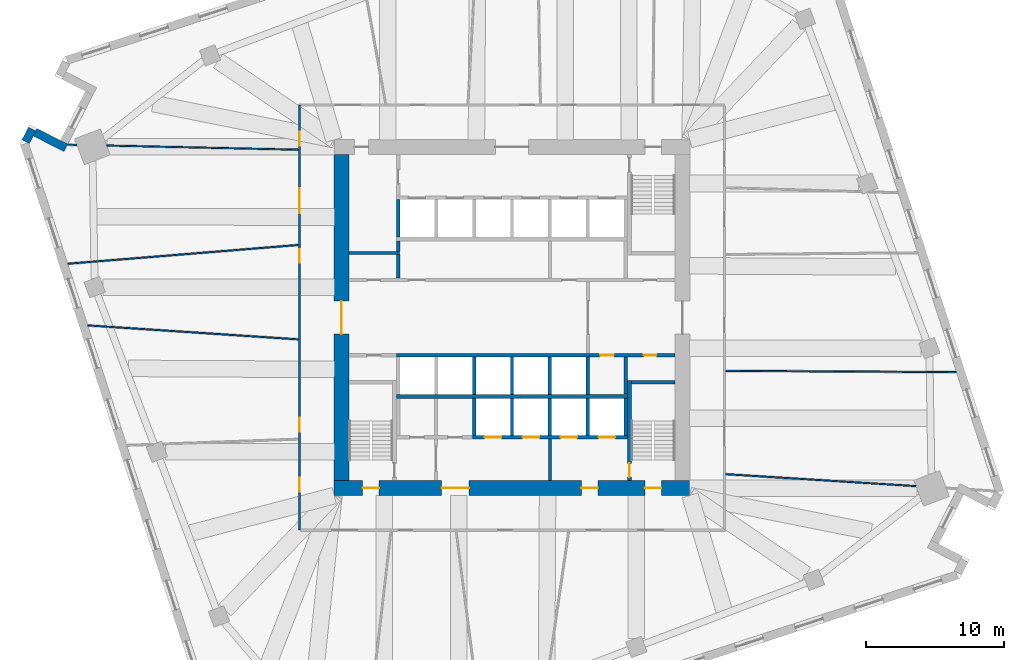
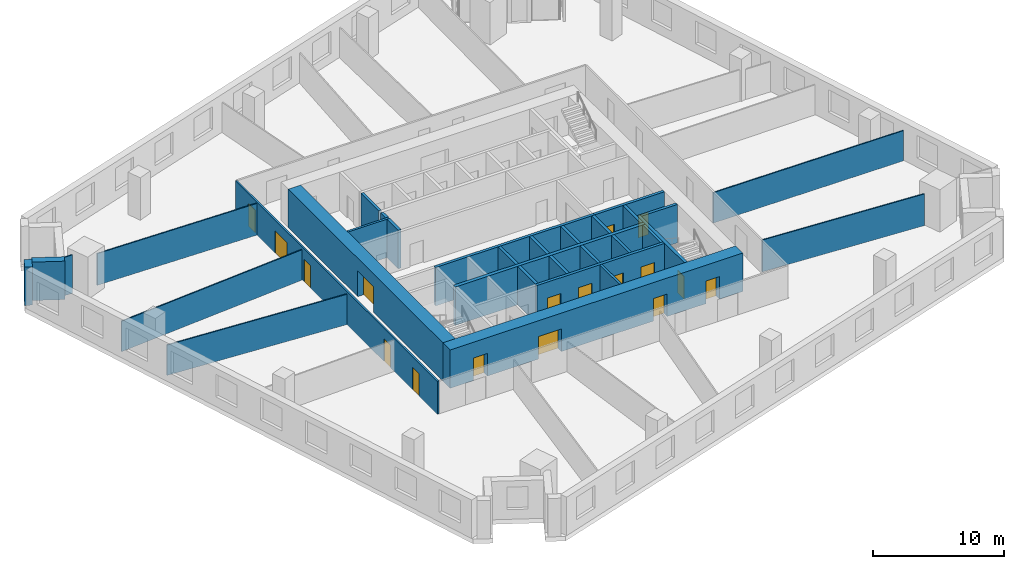
# One storey, part 7 of 12: 32 walls, 17 doors, 17 openings.
"""IFC4 building model written with IfcOpenShell, lengths in metres."""

from ifc_helpers import new_model, si_unit, direction, frame, frame_2d, origin, place, context, subcontext, project, spatial, rectangle, extrude, material, layer, layer_set, type_object, element, fill, save


model = new_model("IFC4")

# Units and contexts
model_context = context("Model", 3, precision=1e-05, world=origin(), true_north=direction((0.0, 1.0)))
body_context = subcontext(model_context, "Body", "Model", "MODEL_VIEW")
ifc_project = project(units=[si_unit("LENGTHUNIT", "METRE"), si_unit("AREAUNIT", "SQUARE_METRE"), si_unit("VOLUMEUNIT", "CUBIC_METRE"), si_unit("PLANEANGLEUNIT", "RADIAN"), si_unit("MASSUNIT", "GRAM", prefix="KILO")], contexts=[model_context])

# Site, building, storey
site_placement = place(None, origin())
site = spatial("IfcSite", under=ifc_project, at=site_placement, CompositionType="ELEMENT")
building_placement = place(site_placement, origin())
building = spatial("IfcBuilding", under=site, at=building_placement, Name="Dilmun Exchange Tower", CompositionType="ELEMENT")
storey_placement = place(building_placement, frame((0.0, 0.0, 90.10009765625)))
storey = spatial("IfcBuildingStorey", under=building, at=storey_placement, Name="L20", CompositionType="ELEMENT", Elevation=90.10009765625)

# Walls
ifc_material_1 = material(Name="Concrete C40/50", Category="concrete")
ifc_layer_1 = layer(ifc_material_1, 0.199951171875)
ifc_layer_set_1 = layer_set([ifc_layer_1], Name="Concrete C40/50")
wall_type_1 = type_object("IfcWallType", Name="Core partition wall 200", PredefinedType="PARTITIONING", material=ifc_layer_set_1)
wall_1_placement = place(storey_placement, frame((2.75, -11.794921875, 0.0), z_axis=(0.0, 0.0, 1.0), x_axis=(0.0, 1.0, 0.0)))
element("IfcWall", 1, at=wall_1_placement, inside=storey, type_object=wall_type_1, Name="L20 core partition wall 02", PredefinedType="PARTITIONING", context=body_context, shape_type="SweptSolid", body=[
    extrude(rectangle(XDim=2.989990234375, YDim=0.199951171875, at=frame_2d((1.4951171875, 0.0))), origin(), (0.0, 0.0, 1.0), 3.579833984375),
])
wall_2_placement = place(storey_placement, frame((-11.794921875, 4.675048828125, 0.0), z_axis=(0.0, 0.0, 1.0), x_axis=(1.0, 0.0, 0.0)))
element("IfcWall", 2, at=wall_2_placement, inside=storey, type_object=wall_type_1, Name="L20 core partition wall 14", PredefinedType="PARTITIONING", context=body_context, shape_type="SweptSolid", body=[
    extrude(rectangle(XDim=3.64501953125, YDim=0.199951171875, at=frame_2d((1.822509765625, 0.0))), origin(), (0.0, 0.0, 1.0), 3.579833984375),
])
ifc_layer_2 = layer(ifc_material_1, 0.25)
ifc_layer_set_2 = layer_set([ifc_layer_2], Name="Concrete C40/50")
wall_type_2 = type_object("IfcWallType", Name="Core partition wall 250", PredefinedType="PARTITIONING", material=ifc_layer_set_2)
wall_3_placement = place(storey_placement, frame((8.25, -5.544921875, 0.0), z_axis=(0.0, 0.0, 1.0), x_axis=(0.0, 1.0, 0.0)))
element("IfcWall", 3, at=wall_3_placement, inside=storey, type_object=wall_type_2, Name="L20 core partition wall 06", PredefinedType="PARTITIONING", context=body_context, shape_type="SweptSolid", body=[
    extrude(rectangle(XDim=2.68994140625, YDim=0.25, at=frame_2d((1.344970703125, 0.0))), origin(), (0.0, 0.0, 1.0), 3.579833984375),
])

# Wall, openings, doors
wall_4_placement = place(storey_placement, frame((5.6298828125, -2.72509765625, 0.0), z_axis=(0.0, 0.0, 1.0), x_axis=(1.0, 0.0, 0.0)))
wall_4 = element("IfcWall", 4, at=wall_4_placement, inside=storey, type_object=wall_type_2, Name="L20 core partition wall 08", PredefinedType="PARTITIONING", context=body_context, shape_type="SweptSolid", body=[
    extrude(rectangle(XDim=6.1650390625, YDim=0.25, at=frame_2d((3.08251953125, 0.0))), origin(), (0.0, 0.0, 1.0), 3.579833984375),
])
opening_1_placement = place(wall_4_placement, frame((0.7451171875, 0.0, 0.0)))
opening_1 = element("IfcOpeningElement", 5, at=opening_1_placement, cuts=wall_4, Name="Opening CD4", PredefinedType="OPENING", context=body_context, shape_type="SweptSolid", body=[
    extrude(rectangle(XDim=1.0, YDim=2.10009765625, at=frame_2d((0.5, 1.050048828125))), frame((0.0, 0.135009765625, 0.0), z_axis=(0.0, -1.0, 0.0), x_axis=(1.0, 0.0, 0.0)), (0.0, 0.0, 1.0), 0.27001953125),
])
opening_2_placement = place(wall_4_placement, frame((3.919921875, 0.0, 0.0)))
opening_2 = element("IfcOpeningElement", 6, at=opening_2_placement, cuts=wall_4, Name="Opening CD6", PredefinedType="OPENING", context=body_context, shape_type="SweptSolid", body=[
    extrude(rectangle(XDim=0.89990234375, YDim=2.10009765625, at=frame_2d((0.449951171875, 1.050048828125))), frame((0.0, 0.135009765625, 0.0), z_axis=(0.0, -1.0, 0.0), x_axis=(1.0, 0.0, 0.0)), (0.0, 0.0, 1.0), 0.27001953125),
])
ifc_material_2 = material(Name="Fire-rated steel door set", Category="steel")
door_type_1 = type_object("IfcDoorType", Name="Core room door 1000x2100", OperationType="SINGLE_SWING_LEFT", PredefinedType="DOOR", material=ifc_material_2)
door_1_placement = place(opening_1_placement, origin())
door_1 = element("IfcDoor", 7, at=door_1_placement, inside=storey, type_object=door_type_1, Name="L20 door Cleaners' store", OperationType="SINGLE_SWING_LEFT", OverallHeight=2.10009765625, OverallWidth=1.0, PredefinedType="DOOR", context=body_context, shape_type="SweptSolid", body=[
    extrude(rectangle(XDim=1.0, YDim=2.10009765625, at=frame_2d((0.5, 1.050048828125))), frame((0.0, 0.02490234375, 0.0), z_axis=(0.0, -1.0, 0.0), x_axis=(1.0, 0.0, 0.0)), (0.0, 0.0, 1.0), 0.050048828125),
])
fill(opening_1, door_1)
door_type_2 = type_object("IfcDoorType", Name="Core room door 900x2100", OperationType="SINGLE_SWING_LEFT", PredefinedType="DOOR", material=ifc_material_2)
door_2_placement = place(opening_2_placement, origin())
door_2 = element("IfcDoor", 8, at=door_2_placement, inside=storey, type_object=door_type_2, Name="L20 door Comms riser", OperationType="SINGLE_SWING_LEFT", OverallHeight=2.10009765625, OverallWidth=0.89990234375, PredefinedType="DOOR", context=body_context, shape_type="SweptSolid", body=[
    extrude(rectangle(XDim=0.89990234375, YDim=2.10009765625, at=frame_2d((0.449951171875, 1.050048828125))), frame((0.0, 0.02490234375, 0.0), z_axis=(0.0, -1.0, 0.0), x_axis=(1.0, 0.0, 0.0)), (0.0, 0.0, 1.0), 0.050048828125),
])
fill(opening_2, door_2)

# Walls
wall_5_placement = place(storey_placement, frame((-8.25, 2.85498046875, 0.0), z_axis=(0.0, 0.0, 1.0), x_axis=(0.0, 1.0, 0.0)))
element("IfcWall", 9, at=wall_5_placement, inside=storey, type_object=wall_type_2, Name="L20 core partition wall 11", PredefinedType="PARTITIONING", context=body_context, shape_type="SweptSolid", body=[
    extrude(rectangle(XDim=1.715087890625, YDim=0.25, at=frame_2d((0.857421875, 0.0))), origin(), (0.0, 0.0, 1.0), 3.579833984375),
])
wall_6_placement = place(storey_placement, frame((-8.25, 4.780029296875, 0.0), z_axis=(0.0, 0.0, 1.0), x_axis=(0.0, 1.0, 0.0)))
element("IfcWall", 10, at=wall_6_placement, inside=storey, type_object=wall_type_2, Name="L20 core partition wall 15", PredefinedType="PARTITIONING", context=body_context, shape_type="SweptSolid", body=[
    extrude(rectangle(XDim=0.764892578125, YDim=0.25, at=frame_2d((0.38232421875, 0.0))), origin(), (0.0, 0.0, 1.0), 3.579833984375),
])

# Wall, openings, doors
ifc_material_3 = material(Name="Concrete C80/95", Category="concrete")
ifc_layer_3 = layer(ifc_material_3, 1.10009765625)
ifc_layer_set_3 = layer_set([ifc_layer_3], Name="Concrete C80/95")
wall_type_3 = type_object("IfcWallType", Name="Core shear wall 1100 Concrete C80/95", PredefinedType="SHEAR", material=ifc_layer_set_3)
wall_7_placement = place(storey_placement, frame((-12.89990234375, -12.35009765625, 0.0), z_axis=(0.0, 0.0, 1.0), x_axis=(1.0, 0.0, 0.0)))
wall_7 = element("IfcWall", 11, at=wall_7_placement, inside=storey, type_object=wall_type_3, Name="L20 core shear wall S", PredefinedType="SHEAR", context=body_context, shape_type="SweptSolid", body=[
    extrude(rectangle(XDim=25.7998046875, YDim=1.10009765625, at=frame_2d((12.89990234375, 0.0))), origin(), (0.0, 0.0, 1.0), 3.579833984375),
])
opening_3_placement = place(wall_7_placement, frame((7.800048828125, 0.0, 0.0)))
opening_3 = element("IfcOpeningElement", 12, at=opening_3_placement, cuts=wall_7, Name="Opening CD2", PredefinedType="OPENING", context=body_context, shape_type="SweptSolid", body=[
    extrude(rectangle(XDim=2.0, YDim=2.10009765625, at=frame_2d((1.0, 1.050048828125))), frame((0.0, 0.56005859375, 0.0), z_axis=(0.0, -1.0, 0.0), x_axis=(1.0, 0.0, 0.0)), (0.0, 0.0, 1.0), 1.1201171875),
])
opening_4_placement = place(wall_7_placement, frame((17.925048828125, 0.0, 0.0)))
opening_4 = element("IfcOpeningElement", 13, at=opening_4_placement, cuts=wall_7, Name="Opening CD3", PredefinedType="OPENING", context=body_context, shape_type="SweptSolid", body=[
    extrude(rectangle(XDim=1.199951171875, YDim=2.10009765625, at=frame_2d((0.60009765625, 1.050048828125))), frame((0.0, 0.56005859375, 0.0), z_axis=(0.0, -1.0, 0.0), x_axis=(1.0, 0.0, 0.0)), (0.0, 0.0, 1.0), 1.1201171875),
])
opening_5_placement = place(wall_7_placement, frame((2.074951171875, 0.0, 0.0)))
opening_5 = element("IfcOpeningElement", 14, at=opening_5_placement, cuts=wall_7, Name="Opening CD3", PredefinedType="OPENING", context=body_context, shape_type="SweptSolid", body=[
    extrude(rectangle(XDim=1.199951171875, YDim=2.10009765625, at=frame_2d((0.60009765625, 1.050048828125))), frame((0.0, 0.56005859375, 0.0), z_axis=(0.0, -1.0, 0.0), x_axis=(1.0, 0.0, 0.0)), (0.0, 0.0, 1.0), 1.1201171875),
])
opening_6_placement = place(wall_7_placement, frame((22.52490234375, 0.0, 0.0)))
opening_6 = element("IfcOpeningElement", 15, at=opening_6_placement, cuts=wall_7, Name="Opening CD3", PredefinedType="OPENING", context=body_context, shape_type="SweptSolid", body=[
    extrude(rectangle(XDim=1.199951171875, YDim=2.10009765625, at=frame_2d((0.60009765625, 1.050048828125))), frame((0.0, 0.56005859375, 0.0), z_axis=(0.0, -1.0, 0.0), x_axis=(1.0, 0.0, 0.0)), (0.0, 0.0, 1.0), 1.1201171875),
])
door_type_3 = type_object("IfcDoorType", Name="Core service door 2000x2100", OperationType="DOUBLE_DOOR_DOUBLE_SWING", PredefinedType="DOOR", material=ifc_material_2)
door_3_placement = place(opening_3_placement, origin())
door_3 = element("IfcDoor", 16, at=door_3_placement, inside=storey, type_object=door_type_3, Name="L20 door South service lobby", OperationType="SINGLE_SWING_LEFT", OverallHeight=2.10009765625, OverallWidth=2.0, PredefinedType="DOOR", context=body_context, shape_type="SweptSolid", body=[
    extrude(rectangle(XDim=2.0, YDim=2.10009765625, at=frame_2d((1.0, 1.050048828125))), frame((0.0, 0.02490234375, 0.0), z_axis=(0.0, -1.0, 0.0), x_axis=(1.0, 0.0, 0.0)), (0.0, 0.0, 1.0), 0.050048828125),
])
fill(opening_3, door_3)
door_type_4 = type_object("IfcDoorType", Name="Stair exit door 1200x2100", OperationType="SINGLE_SWING_LEFT", PredefinedType="DOOR", material=ifc_material_2)
door_4_placement = place(opening_4_placement, origin())
door_4 = element("IfcDoor", 17, at=door_4_placement, inside=storey, type_object=door_type_4, Name="L20 door Fire-fighting lobby", OperationType="SINGLE_SWING_LEFT", OverallHeight=2.10009765625, OverallWidth=1.199951171875, PredefinedType="DOOR", context=body_context, shape_type="SweptSolid", body=[
    extrude(rectangle(XDim=1.199951171875, YDim=2.10009765625, at=frame_2d((0.60009765625, 1.050048828125))), frame((0.0, 0.02490234375, 0.0), z_axis=(0.0, -1.0, 0.0), x_axis=(1.0, 0.0, 0.0)), (0.0, 0.0, 1.0), 0.050048828125),
])
fill(opening_4, door_4)
door_5_placement = place(opening_5_placement, origin())
door_5 = element("IfcDoor", 18, at=door_5_placement, inside=storey, type_object=door_type_4, Name="L20 door Stair ST2", OperationType="SINGLE_SWING_LEFT", OverallHeight=2.10009765625, OverallWidth=1.199951171875, PredefinedType="DOOR", context=body_context, shape_type="SweptSolid", body=[
    extrude(rectangle(XDim=1.199951171875, YDim=2.10009765625, at=frame_2d((0.60009765625, 1.050048828125))), frame((0.0, 0.02490234375, 0.0), z_axis=(0.0, -1.0, 0.0), x_axis=(1.0, 0.0, 0.0)), (0.0, 0.0, 1.0), 0.050048828125),
])
fill(opening_5, door_5)
door_6_placement = place(opening_6_placement, origin())
door_6 = element("IfcDoor", 19, at=door_6_placement, inside=storey, type_object=door_type_4, Name="L20 door Stair ST3", OperationType="SINGLE_SWING_LEFT", OverallHeight=2.10009765625, OverallWidth=1.199951171875, PredefinedType="DOOR", context=body_context, shape_type="SweptSolid", body=[
    extrude(rectangle(XDim=1.199951171875, YDim=2.10009765625, at=frame_2d((0.60009765625, 1.050048828125))), frame((0.0, 0.02490234375, 0.0), z_axis=(0.0, -1.0, 0.0), x_axis=(1.0, 0.0, 0.0)), (0.0, 0.0, 1.0), 0.050048828125),
])
fill(opening_6, door_6)

# Wall, opening, door
wall_8_placement = place(storey_placement, frame((-12.35009765625, -11.800048828125, 0.0), z_axis=(0.0, 0.0, 1.0), x_axis=(0.0, 1.0, 0.0)))
wall_8 = element("IfcWall", 20, at=wall_8_placement, inside=storey, type_object=wall_type_3, Name="L20 core shear wall W", PredefinedType="SHEAR", context=body_context, shape_type="SweptSolid", body=[
    extrude(rectangle(XDim=23.60009765625, YDim=1.10009765625, at=frame_2d((11.800048828125, 0.0))), origin(), (0.0, 0.0, 1.0), 3.579833984375),
])
opening_7_placement = place(wall_8_placement, frame((10.60009765625, 0.0, 0.0)))
opening_7 = element("IfcOpeningElement", 21, at=opening_7_placement, cuts=wall_8, Name="Opening CD1", PredefinedType="OPENING", context=body_context, shape_type="SweptSolid", body=[
    extrude(rectangle(XDim=2.39990234375, YDim=2.39990234375, at=frame_2d((1.199951171875, 1.199951171875))), frame((0.0, 0.56005859375, 0.0), z_axis=(0.0, -1.0, 0.0), x_axis=(1.0, 0.0, 0.0)), (0.0, 0.0, 1.0), 1.1201171875),
])
door_type_5 = type_object("IfcDoorType", Name="Core lobby door 2400x2400", OperationType="DOUBLE_DOOR_DOUBLE_SWING", PredefinedType="DOOR", material=ifc_material_2)
door_7_placement = place(opening_7_placement, origin())
door_7 = element("IfcDoor", 22, at=door_7_placement, inside=storey, type_object=door_type_5, Name="L20 door Central lift lobby", OperationType="SINGLE_SWING_LEFT", OverallHeight=2.39990234375, OverallWidth=2.39990234375, PredefinedType="DOOR", context=body_context, shape_type="SweptSolid", body=[
    extrude(rectangle(XDim=2.39990234375, YDim=2.39990234375, at=frame_2d((1.199951171875, 1.199951171875))), frame((0.0, 0.02490234375, 0.0), z_axis=(0.0, -1.0, 0.0), x_axis=(1.0, 0.0, 0.0)), (0.0, 0.0, 1.0), 0.050048828125),
])
fill(opening_7, door_7)

# Wall, openings, doors
ifc_material_4 = material(Name="Corridor wall 150")
ifc_layer_4 = layer(ifc_material_4, 0.14990234375)
ifc_layer_set_4 = layer_set([ifc_layer_4], Name="Corridor wall 150")
wall_type_4 = type_object("IfcWallType", Name="Corridor wall 150", PredefinedType="PARTITIONING", material=ifc_layer_set_4)
wall_9_placement = place(storey_placement, frame((-15.39990234375, -15.39990234375, 0.0), z_axis=(0.0, 0.0, 1.0), x_axis=(0.0, 1.0, 0.0)))
wall_9 = element("IfcWall", 23, at=wall_9_placement, inside=storey, type_object=wall_type_4, Name="Corridor wall", PredefinedType="PARTITIONING", context=body_context, shape_type="SweptSolid", body=[
    extrude(rectangle(XDim=30.7998046875, YDim=0.14990234375, at=frame_2d((15.39990234375, 0.0))), origin(), (0.0, 0.0, 1.0), 3.079833984375),
])
opening_8_placement = place(wall_9_placement, frame((22.967041015625, 0.0, 0.0)))
opening_8 = element("IfcOpeningElement", 24, at=opening_8_placement, cuts=wall_9, Name="Opening TF20-D01", PredefinedType="OPENING", context=body_context, shape_type="SweptSolid", body=[
    extrude(rectangle(XDim=1.800048828125, YDim=2.10009765625, at=frame_2d((0.89990234375, 1.050048828125))), frame((0.0, 0.0849609375, 0.0), z_axis=(0.0, -1.0, 0.0), x_axis=(1.0, 0.0, 0.0)), (0.0, 0.0, 1.0), 0.169921875),
])
opening_9_placement = place(wall_9_placement, frame((19.369873046875, 0.0, 0.0)))
opening_9 = element("IfcOpeningElement", 25, at=opening_9_placement, cuts=wall_9, Name="Opening TF20-D02", PredefinedType="OPENING", context=body_context, shape_type="SweptSolid", body=[
    extrude(rectangle(XDim=1.0, YDim=2.10009765625, at=frame_2d((0.5, 1.050048828125))), frame((0.0, 0.0849609375, 0.0), z_axis=(0.0, -1.0, 0.0), x_axis=(1.0, 0.0, 0.0)), (0.0, 0.0, 1.0), 0.169921875),
])
opening_10_placement = place(wall_9_placement, frame((7.150390625, 0.0, 0.0)))
opening_10 = element("IfcOpeningElement", 26, at=opening_10_placement, cuts=wall_9, Name="Opening TF20-D03", PredefinedType="OPENING", context=body_context, shape_type="SweptSolid", body=[
    extrude(rectangle(XDim=1.0, YDim=2.10009765625, at=frame_2d((0.5, 1.050048828125))), frame((0.0, 0.0849609375, 0.0), z_axis=(0.0, -1.0, 0.0), x_axis=(1.0, 0.0, 0.0)), (0.0, 0.0, 1.0), 0.169921875),
])
opening_11_placement = place(wall_9_placement, frame((27.86328125, 0.0, 0.0)))
opening_11 = element("IfcOpeningElement", 27, at=opening_11_placement, cuts=wall_9, Name="Opening TF20-D05", PredefinedType="OPENING", context=body_context, shape_type="SweptSolid", body=[
    extrude(rectangle(XDim=1.0, YDim=2.10009765625, at=frame_2d((0.5, 1.050048828125))), frame((0.0, 0.0849609375, 0.0), z_axis=(0.0, -1.0, 0.0), x_axis=(1.0, 0.0, 0.0)), (0.0, 0.0, 1.0), 0.169921875),
])
opening_12_placement = place(wall_9_placement, frame((2.800048828125, 0.0, 0.0)))
opening_12 = element("IfcOpeningElement", 28, at=opening_12_placement, cuts=wall_9, Name="Opening TF20-D07", PredefinedType="OPENING", context=body_context, shape_type="SweptSolid", body=[
    extrude(rectangle(XDim=1.0, YDim=2.10009765625, at=frame_2d((0.5, 1.050048828125))), frame((0.0, 0.0849609375, 0.0), z_axis=(0.0, -1.0, 0.0), x_axis=(1.0, 0.0, 0.0)), (0.0, 0.0, 1.0), 0.169921875),
])
ifc_material_5 = material(Name="Fire door 1000 x 2100")
door_type_6 = type_object("IfcDoorType", Name="Fire door 1000 x 2100", OperationType="NOTDEFINED", PredefinedType="DOOR", material=ifc_material_5)
door_8_placement = place(opening_9_placement, origin())
door_8 = element("IfcDoor", 29, at=door_8_placement, inside=storey, type_object=door_type_6, Name="Door TF20-D02", OperationType="SINGLE_SWING_RIGHT", OverallHeight=2.10009765625, OverallWidth=1.0, PredefinedType="DOOR", context=body_context, shape_type="SweptSolid", body=[
    extrude(rectangle(XDim=1.0, YDim=2.10009765625, at=frame_2d((0.5, 1.050048828125))), frame((0.0, 0.02490234375, 0.0), z_axis=(0.0, -1.0, 0.0), x_axis=(1.0, 0.0, 0.0)), (0.0, 0.0, 1.0), 0.050048828125),
])
fill(opening_9, door_8)
door_9_placement = place(opening_10_placement, origin())
door_9 = element("IfcDoor", 30, at=door_9_placement, inside=storey, type_object=door_type_6, Name="Door TF20-D03", OperationType="SINGLE_SWING_LEFT", OverallHeight=2.10009765625, OverallWidth=1.0, PredefinedType="DOOR", context=body_context, shape_type="SweptSolid", body=[
    extrude(rectangle(XDim=1.0, YDim=2.10009765625, at=frame_2d((0.5, 1.050048828125))), frame((0.0, 0.02490234375, 0.0), z_axis=(0.0, -1.0, 0.0), x_axis=(1.0, 0.0, 0.0)), (0.0, 0.0, 1.0), 0.050048828125),
])
fill(opening_10, door_9)
door_10_placement = place(opening_11_placement, origin())
door_10 = element("IfcDoor", 31, at=door_10_placement, inside=storey, type_object=door_type_6, Name="Door TF20-D05", OperationType="SINGLE_SWING_RIGHT", OverallHeight=2.10009765625, OverallWidth=1.0, PredefinedType="DOOR", context=body_context, shape_type="SweptSolid", body=[
    extrude(rectangle(XDim=1.0, YDim=2.10009765625, at=frame_2d((0.5, 1.050048828125))), frame((0.0, 0.02490234375, 0.0), z_axis=(0.0, -1.0, 0.0), x_axis=(1.0, 0.0, 0.0)), (0.0, 0.0, 1.0), 0.050048828125),
])
fill(opening_11, door_10)
door_11_placement = place(opening_12_placement, origin())
door_11 = element("IfcDoor", 32, at=door_11_placement, inside=storey, type_object=door_type_6, Name="Door TF20-D07", OperationType="SINGLE_SWING_RIGHT", OverallHeight=2.10009765625, OverallWidth=1.0, PredefinedType="DOOR", context=body_context, shape_type="SweptSolid", body=[
    extrude(rectangle(XDim=1.0, YDim=2.10009765625, at=frame_2d((0.5, 1.050048828125))), frame((0.0, 0.02490234375, 0.0), z_axis=(0.0, -1.0, 0.0), x_axis=(1.0, 0.0, 0.0)), (0.0, 0.0, 1.0), 0.050048828125),
])
fill(opening_12, door_11)
ifc_material_6 = material(Name="Fire door pair 1800 x 2100")
door_type_7 = type_object("IfcDoorType", Name="Fire door pair 1800 x 2100", OperationType="NOTDEFINED", PredefinedType="DOOR", material=ifc_material_6)
door_12_placement = place(opening_8_placement, origin())
door_12 = element("IfcDoor", 33, at=door_12_placement, inside=storey, type_object=door_type_7, Name="Door TF20-D01", OperationType="DOUBLE_DOOR_SINGLE_SWING", OverallHeight=2.10009765625, OverallWidth=1.800048828125, PredefinedType="DOOR", context=body_context, shape_type="SweptSolid", body=[
    extrude(rectangle(XDim=1.800048828125, YDim=2.10009765625, at=frame_2d((0.89990234375, 1.050048828125))), frame((0.0, 0.02490234375, 0.0), z_axis=(0.0, -1.0, 0.0), x_axis=(1.0, 0.0, 0.0)), (0.0, 0.0, 1.0), 0.050048828125),
])
fill(opening_8, door_12)

# Walls
ifc_layer_5 = layer(ifc_material_1, 0.300048828125)
ifc_layer_set_5 = layer_set([ifc_layer_5], Name="Concrete C40/50")
wall_type_5 = type_object("IfcWallType", Name="Lift shaft shared wall 300", PredefinedType="SOLIDWALL", material=ifc_layer_set_5)
wall_10_placement = place(storey_placement, frame((-8.375, -5.699951171875, 0.0), z_axis=(0.0, 0.0, 1.0), x_axis=(1.0, 0.0, 0.0)))
element("IfcWall", 34, at=wall_10_placement, inside=storey, type_object=wall_type_5, Name="L20 lift shaft rear wall S", PredefinedType="SOLIDWALL", context=body_context, shape_type="SweptSolid", body=[
    extrude(rectangle(XDim=16.75, YDim=0.300048828125, at=frame_2d((8.375, 0.0))), origin(), (0.0, 0.0, 1.0), 3.579833984375),
])
ifc_layer_6 = layer(ifc_material_1, 0.25)
ifc_layer_set_6 = layer_set([ifc_layer_6], Name="Concrete C40/50")
wall_type_6 = type_object("IfcWallType", Name="Lift shaft wall 250", PredefinedType="SOLIDWALL", material=ifc_layer_set_6)
wall_11_placement = place(storey_placement, frame((-8.25, 5.85009765625, 0.0), z_axis=(0.0, 0.0, 1.0), x_axis=(0.0, 1.0, 0.0)))
element("IfcWall", 35, at=wall_11_placement, inside=storey, type_object=wall_type_6, Name="L20 lift shaft divider N20", PredefinedType="SOLIDWALL", context=body_context, shape_type="SweptSolid", body=[
    extrude(rectangle(XDim=2.699951171875, YDim=0.25, at=frame_2d((1.35009765625, 0.0))), origin(), (0.0, 0.0, 1.0), 3.579833984375),
])
wall_12_placement = place(storey_placement, frame((-8.375, -2.72509765625, 0.0), z_axis=(0.0, 0.0, 1.0), x_axis=(1.0, 0.0, 0.0)))
element("IfcWall", 36, at=wall_12_placement, inside=storey, type_object=wall_type_6, Name="L20 lift shaft front wall S1", PredefinedType="SOLIDWALL", context=body_context, shape_type="SweptSolid", body=[
    extrude(rectangle(XDim=14.0, YDim=0.25, at=frame_2d((7.0, 0.0))), origin(), (0.0, 0.0, 1.0), 3.579833984375),
])
for number, where, z_axis, x_axis, name in (
    (37, (-2.75, -5.550048828125, 0.0), (0.0, 0.0, 1.0), (0.0, 1.0, 0.0), "L20 lift shaft divider S12"),
    (38, (0.0, -5.550048828125, 0.0), (0.0, 0.0, 1.0), (0.0, 1.0, 0.0), "L20 lift shaft divider S13"),
    (39, (2.75, -5.550048828125, 0.0), (0.0, 0.0, 1.0), (0.0, 1.0, 0.0), "L20 lift shaft divider S14"),
    (40, (5.5, -5.550048828125, 0.0), (0.0, 0.0, 1.0), (0.0, 1.0, 0.0), "L20 lift shaft divider S15"),
):
    element("IfcWall", number, at=place(storey_placement, frame(where, z_axis=z_axis, x_axis=x_axis)), inside=storey, type_object=wall_type_6, Name=name, PredefinedType="SOLIDWALL", context=body_context, shape_type="SweptSolid", body=[
        extrude(rectangle(XDim=2.699951171875, YDim=0.25, at=frame_2d((1.35009765625, 0.0))), origin(), (0.0, 0.0, 1.0), 3.579833984375),
    ])

# Wall, openings, doors
wall_13_placement = place(storey_placement, frame((-2.875, -8.675048828125, 0.0), z_axis=(0.0, 0.0, 1.0), x_axis=(1.0, 0.0, 0.0)))
wall_13 = element("IfcWall", 41, at=wall_13_placement, inside=storey, type_object=wall_type_6, Name="L20 lift shaft front wall S2", PredefinedType="SOLIDWALL", context=body_context, shape_type="SweptSolid", body=[
    extrude(rectangle(XDim=11.25, YDim=0.25, at=frame_2d((5.625, 0.0))), origin(), (0.0, 0.0, 1.0), 3.579833984375),
])
opening_13_placement = place(wall_13_placement, frame((0.89990234375, 0.0, 0.0)))
opening_13 = element("IfcOpeningElement", 42, at=opening_13_placement, cuts=wall_13, Name="Opening LD", PredefinedType="OPENING", context=body_context, shape_type="SweptSolid", body=[
    extrude(rectangle(XDim=1.199951171875, YDim=2.10009765625, at=frame_2d((0.60009765625, 1.050048828125))), frame((0.0, 0.135009765625, 0.0), z_axis=(0.0, -1.0, 0.0), x_axis=(1.0, 0.0, 0.0)), (0.0, 0.0, 1.0), 0.27001953125),
])
opening_14_placement = place(wall_13_placement, frame((3.64990234375, 0.0, 0.0)))
opening_14 = element("IfcOpeningElement", 43, at=opening_14_placement, cuts=wall_13, Name="Opening LD", PredefinedType="OPENING", context=body_context, shape_type="SweptSolid", body=[
    extrude(rectangle(XDim=1.199951171875, YDim=2.10009765625, at=frame_2d((0.60009765625, 1.050048828125))), frame((0.0, 0.135009765625, 0.0), z_axis=(0.0, -1.0, 0.0), x_axis=(1.0, 0.0, 0.0)), (0.0, 0.0, 1.0), 0.27001953125),
])
opening_15_placement = place(wall_13_placement, frame((6.39990234375, 0.0, 0.0)))
opening_15 = element("IfcOpeningElement", 44, at=opening_15_placement, cuts=wall_13, Name="Opening LD", PredefinedType="OPENING", context=body_context, shape_type="SweptSolid", body=[
    extrude(rectangle(XDim=1.199951171875, YDim=2.10009765625, at=frame_2d((0.60009765625, 1.050048828125))), frame((0.0, 0.135009765625, 0.0), z_axis=(0.0, -1.0, 0.0), x_axis=(1.0, 0.0, 0.0)), (0.0, 0.0, 1.0), 0.27001953125),
])
opening_16_placement = place(wall_13_placement, frame((9.14990234375, 0.0, 0.0)))
opening_16 = element("IfcOpeningElement", 45, at=opening_16_placement, cuts=wall_13, Name="Opening LD", PredefinedType="OPENING", context=body_context, shape_type="SweptSolid", body=[
    extrude(rectangle(XDim=1.199951171875, YDim=2.10009765625, at=frame_2d((0.60009765625, 1.050048828125))), frame((0.0, 0.135009765625, 0.0), z_axis=(0.0, -1.0, 0.0), x_axis=(1.0, 0.0, 0.0)), (0.0, 0.0, 1.0), 0.27001953125),
])
door_type_8 = type_object("IfcDoorType", Name="Lift landing door 1200x2100", OperationType="DOUBLE_DOOR_SLIDING", PredefinedType="DOOR", material=ifc_material_2)
door_13_placement = place(opening_13_placement, origin())
door_13 = element("IfcDoor", 46, at=door_13_placement, inside=storey, type_object=door_type_8, Name="L20 landing door SV1", OperationType="DOUBLE_DOOR_SLIDING", OverallHeight=2.10009765625, OverallWidth=1.199951171875, PredefinedType="DOOR", context=body_context, shape_type="SweptSolid", body=[
    extrude(rectangle(XDim=1.199951171875, YDim=2.10009765625, at=frame_2d((0.60009765625, 1.050048828125))), frame((0.0, 0.02490234375, 0.0), z_axis=(0.0, -1.0, 0.0), x_axis=(1.0, 0.0, 0.0)), (0.0, 0.0, 1.0), 0.050048828125),
])
fill(opening_13, door_13)
door_14_placement = place(opening_14_placement, origin())
door_14 = element("IfcDoor", 47, at=door_14_placement, inside=storey, type_object=door_type_8, Name="L20 landing door SV2", OperationType="DOUBLE_DOOR_SLIDING", OverallHeight=2.10009765625, OverallWidth=1.199951171875, PredefinedType="DOOR", context=body_context, shape_type="SweptSolid", body=[
    extrude(rectangle(XDim=1.199951171875, YDim=2.10009765625, at=frame_2d((0.60009765625, 1.050048828125))), frame((0.0, 0.02490234375, 0.0), z_axis=(0.0, -1.0, 0.0), x_axis=(1.0, 0.0, 0.0)), (0.0, 0.0, 1.0), 0.050048828125),
])
fill(opening_14, door_14)
door_15_placement = place(opening_15_placement, origin())
door_15 = element("IfcDoor", 48, at=door_15_placement, inside=storey, type_object=door_type_8, Name="L20 landing door FF1", OperationType="DOUBLE_DOOR_SLIDING", OverallHeight=2.10009765625, OverallWidth=1.199951171875, PredefinedType="DOOR", context=body_context, shape_type="SweptSolid", body=[
    extrude(rectangle(XDim=1.199951171875, YDim=2.10009765625, at=frame_2d((0.60009765625, 1.050048828125))), frame((0.0, 0.02490234375, 0.0), z_axis=(0.0, -1.0, 0.0), x_axis=(1.0, 0.0, 0.0)), (0.0, 0.0, 1.0), 0.050048828125),
])
fill(opening_15, door_15)
door_16_placement = place(opening_16_placement, origin())
door_16 = element("IfcDoor", 49, at=door_16_placement, inside=storey, type_object=door_type_8, Name="L20 landing door FF2", OperationType="DOUBLE_DOOR_SLIDING", OverallHeight=2.10009765625, OverallWidth=1.199951171875, PredefinedType="DOOR", context=body_context, shape_type="SweptSolid", body=[
    extrude(rectangle(XDim=1.199951171875, YDim=2.10009765625, at=frame_2d((0.60009765625, 1.050048828125))), frame((0.0, 0.02490234375, 0.0), z_axis=(0.0, -1.0, 0.0), x_axis=(1.0, 0.0, 0.0)), (0.0, 0.0, 1.0), 0.050048828125),
])
fill(opening_16, door_16)

# Walls
for number, where, z_axis, x_axis, name in (
    (50, (-2.75, -8.550048828125, 0.0), (0.0, 0.0, 1.0), (0.0, 1.0, 0.0), "L20 lift shaft divider S22"),
    (51, (0.0, -8.550048828125, 0.0), (0.0, 0.0, 1.0), (0.0, 1.0, 0.0), "L20 lift shaft divider S23"),
    (52, (2.75, -8.550048828125, 0.0), (0.0, 0.0, 1.0), (0.0, 1.0, 0.0), "L20 lift shaft divider S24"),
    (53, (5.5, -8.550048828125, 0.0), (0.0, 0.0, 1.0), (0.0, 1.0, 0.0), "L20 lift shaft divider S25"),
    (54, (8.25, -8.550048828125, 0.0), (0.0, 0.0, 1.0), (0.0, 1.0, 0.0), "L20 lift shaft divider S26"),
):
    element("IfcWall", number, at=place(storey_placement, frame(where, z_axis=z_axis, x_axis=x_axis)), inside=storey, type_object=wall_type_6, Name=name, PredefinedType="SOLIDWALL", context=body_context, shape_type="SweptSolid", body=[
        extrude(rectangle(XDim=2.699951171875, YDim=0.25, at=frame_2d((1.35009765625, 0.0))), origin(), (0.0, 0.0, 1.0), 3.579833984375),
    ])
ifc_material_7 = material(Name="Partition 100")
ifc_layer_7 = layer(ifc_material_7, 0.10009765625)
ifc_layer_set_7 = layer_set([ifc_layer_7], Name="Partition 100")
wall_type_7 = type_object("IfcWallType", Name="Partition 100", PredefinedType="PARTITIONING", material=ifc_layer_set_7)
wall_14_placement = place(storey_placement, frame((-32.196044921875, 12.528564453125, 0.0), z_axis=(0.0, 0.0, 1.0), x_axis=(0.999759697185, -0.021921402419, 0.0)))
element("IfcWall", 55, at=wall_14_placement, inside=storey, type_object=wall_type_7, Name="Partition", PredefinedType="PARTITIONING", context=body_context, shape_type="SweptSolid", body=[
    extrude(rectangle(XDim=0.679443359375, YDim=0.10009765625, at=frame_2d((0.33984375, 0.0))), origin(), (0.0, 0.0, 1.0), 3.579833984375),
])
wall_15_placement = place(storey_placement, frame((-32.179443359375, 3.904296875, 0.0), z_axis=(0.0, 0.0, 1.0), x_axis=(0.996703590135, 0.081129238943, 0.0)))
element("IfcWall", 56, at=wall_15_placement, inside=storey, type_object=wall_type_7, Name="Partition", PredefinedType="PARTITIONING", context=body_context, shape_type="SweptSolid", body=[
    extrude(rectangle(XDim=16.755615234375, YDim=0.10009765625, at=frame_2d((8.3779296875, 0.0))), origin(), (0.0, 0.0, 1.0), 2.829833984375),
])
wall_16_placement = place(storey_placement, frame((-30.72802734375, -0.56298828125, 0.0), z_axis=(0.0, 0.0, 1.0), x_axis=(0.997806523093, -0.066197752777, 0.0)))
element("IfcWall", 57, at=wall_16_placement, inside=storey, type_object=wall_type_7, Name="Partition", PredefinedType="PARTITIONING", context=body_context, shape_type="SweptSolid", body=[
    extrude(rectangle(XDim=15.283203125, YDim=0.10009765625, at=frame_2d((7.6416015625, 0.0))), origin(), (0.0, 0.0, 1.0), 2.829833984375),
])
wall_17_placement = place(storey_placement, frame((-29.361083984375, 12.466796875, 0.0), z_axis=(0.0, 0.0, 1.0), x_axis=(0.999763547956, -0.021745072509, 0.0)))
element("IfcWall", 58, at=wall_17_placement, inside=storey, type_object=wall_type_7, Name="Partition", PredefinedType="PARTITIONING", context=body_context, shape_type="SweptSolid", body=[
    extrude(rectangle(XDim=13.88818359375, YDim=0.10009765625, at=frame_2d((6.944091796875, 0.0))), origin(), (0.0, 0.0, 1.0), 2.9599609375),
])
wall_18_placement = place(storey_placement, frame((15.47802734375, -11.33984375, 0.0), z_axis=(0.0, 0.0, 1.0), x_axis=(0.998040108865, -0.062577480745, 0.0)))
element("IfcWall", 59, at=wall_18_placement, inside=storey, type_object=wall_type_7, Name="Partition", PredefinedType="PARTITIONING", context=body_context, shape_type="SweptSolid", body=[
    extrude(rectangle(XDim=13.81103515625, YDim=0.10009765625, at=frame_2d((6.905517578125, 0.0))), origin(), (0.0, 0.0, 1.0), 2.9599609375),
])
wall_19_placement = place(storey_placement, frame((15.475341796875, -3.85546875, 0.0), z_axis=(0.0, 0.0, 1.0), x_axis=(0.999985480582, -0.005388749797, 0.0)))
element("IfcWall", 60, at=wall_19_placement, inside=storey, type_object=wall_type_7, Name="Partition", PredefinedType="PARTITIONING", context=body_context, shape_type="SweptSolid", body=[
    extrude(rectangle(XDim=16.7177734375, YDim=0.10009765625, at=frame_2d((8.35888671875, 0.0))), origin(), (0.0, 0.0, 1.0), 2.829833984375),
])
ifc_material_8 = material(Name="Precast concrete C50/60", Category="concrete")
ifc_layer_8 = layer(ifc_material_8, 0.60009765625)
ifc_layer_set_8 = layer_set([ifc_layer_8], Name="Precast concrete C50/60")
wall_type_8 = type_object("IfcWallType", Name="Precast stone-clad wall 600", PredefinedType="STANDARD", material=ifc_layer_set_8)
wall_20_placement = place(storey_placement, frame((-32.31591796875, 12.29736328125, 0.0), z_axis=(0.0, 0.0, 1.0), x_axis=(-0.891023102287, 0.453957961921, 0.0)))
element("IfcWall", 61, at=wall_20_placement, inside=storey, type_object=wall_type_8, Name="Facade wall L20-07", PredefinedType="STANDARD", context=body_context, shape_type="SweptSolid", body=[
    extrude(rectangle(XDim=2.500244140625, YDim=0.60009765625, at=frame_2d((1.25, 0.0))), origin(), (0.0, 0.0, 1.0), 3.579833984375),
])
wall_21_placement = place(storey_placement, frame((-34.765380859375, 13.65771484375, 0.0), z_axis=(0.0, 0.0, 1.0), x_axis=(-0.454055955632, -0.890973169717, 0.0)))
element("IfcWall", 62, at=wall_21_placement, inside=storey, type_object=wall_type_8, Name="Facade wall L20-08", PredefinedType="STANDARD", context=body_context, shape_type="SweptSolid", body=[
    extrude(rectangle(XDim=1.011474609375, YDim=0.60009765625, at=frame_2d((0.505859375, 0.0))), origin(), (0.0, 0.0, 1.0), 3.579833984375),
])
ifc_layer_9 = layer(ifc_material_1, 0.25)
ifc_layer_set_9 = layer_set([ifc_layer_9], Name="Concrete C40/50")
wall_type_9 = type_object("IfcWallType", Name="Stair end wall 250", PredefinedType="SOLIDWALL", material=ifc_layer_set_9)
wall_22_placement = place(storey_placement, frame((8.64990234375, -4.675048828125, 0.0), z_axis=(0.0, 0.0, 1.0), x_axis=(1.0, 0.0, 0.0)))
element("IfcWall", 63, at=wall_22_placement, inside=storey, type_object=wall_type_9, Name="L20 ST3 far wall", PredefinedType="SOLIDWALL", context=body_context, shape_type="SweptSolid", body=[
    extrude(rectangle(XDim=3.150146484375, YDim=0.25, at=frame_2d((1.5751953125, 0.0))), origin(), (0.0, 0.0, 1.0), 3.579833984375),
])

# Wall, opening, door
ifc_layer_10 = layer(ifc_material_1, 0.27490234375)
ifc_layer_set_10 = layer_set([ifc_layer_10], Name="Concrete C40/50")
wall_type_10 = type_object("IfcWallType", Name="Stair wall 275", PredefinedType="SOLIDWALL", material=ifc_layer_set_10)
wall_23_placement = place(storey_placement, frame((8.512451171875, -4.550048828125, 0.0), z_axis=(0.0, 0.0, 1.0), x_axis=(0.0, -1.0, 0.0)))
wall_23 = element("IfcWall", 64, at=wall_23_placement, inside=storey, type_object=wall_type_10, Name="L20 ST3 wall to lift block", PredefinedType="SOLIDWALL", context=body_context, shape_type="SweptSolid", body=[
    extrude(rectangle(XDim=7.25, YDim=0.27490234375, at=frame_2d((3.625, 0.0))), origin(), (0.0, 0.0, 1.0), 3.579833984375),
])
opening_17_placement = place(wall_23_placement, frame((6.0, 0.0, 0.0)))
opening_17 = element("IfcOpeningElement", 65, at=opening_17_placement, cuts=wall_23, Name="Opening CD4", PredefinedType="OPENING", context=body_context, shape_type="SweptSolid", body=[
    extrude(rectangle(XDim=1.0, YDim=2.10009765625, at=frame_2d((0.5, 1.050048828125))), frame((0.0, 0.1474609375, 0.0), z_axis=(0.0, -1.0, 0.0), x_axis=(1.0, 0.0, 0.0)), (0.0, 0.0, 1.0), 0.294921875),
])
door_17_placement = place(opening_17_placement, origin())
door_17 = element("IfcDoor", 66, at=door_17_placement, inside=storey, type_object=door_type_1, Name="L20 door ST3 from lobby", OperationType="SINGLE_SWING_LEFT", OverallHeight=2.10009765625, OverallWidth=1.0, PredefinedType="DOOR", context=body_context, shape_type="SweptSolid", body=[
    extrude(rectangle(XDim=1.0, YDim=2.10009765625, at=frame_2d((0.5, 1.050048828125))), frame((0.0, 0.02490234375, 0.0), z_axis=(0.0, -1.0, 0.0), x_axis=(1.0, 0.0, 0.0)), (0.0, 0.0, 1.0), 0.050048828125),
])
fill(opening_17, door_17)

save(model, "model.ifc")
